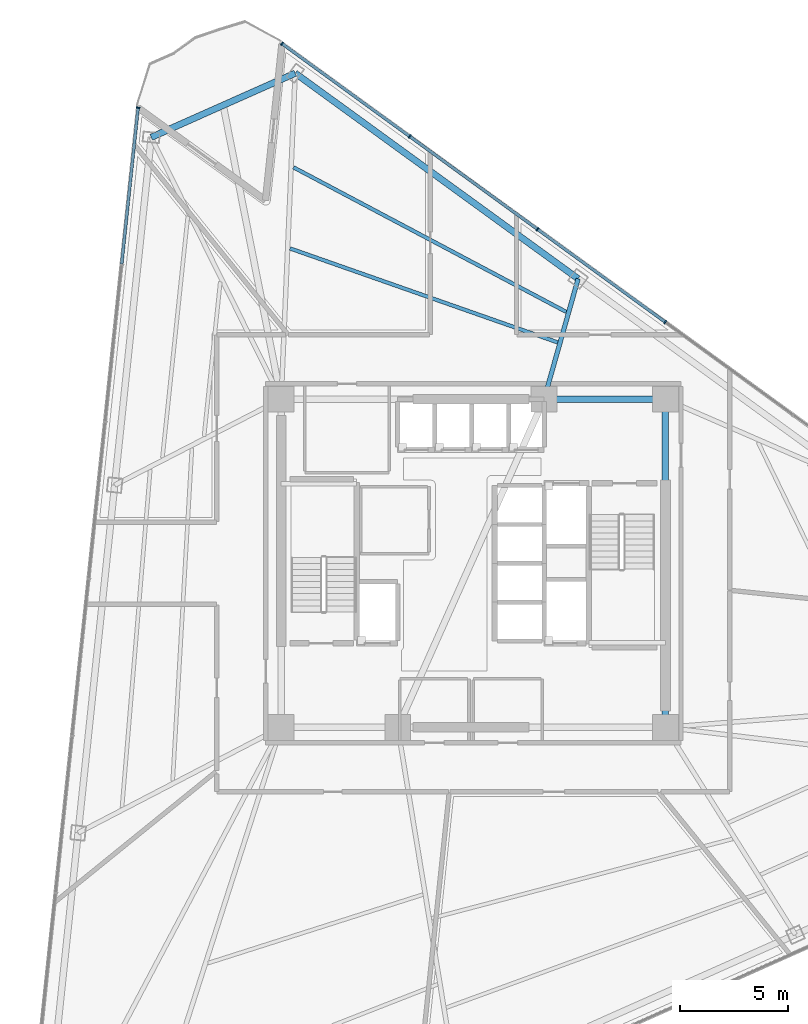
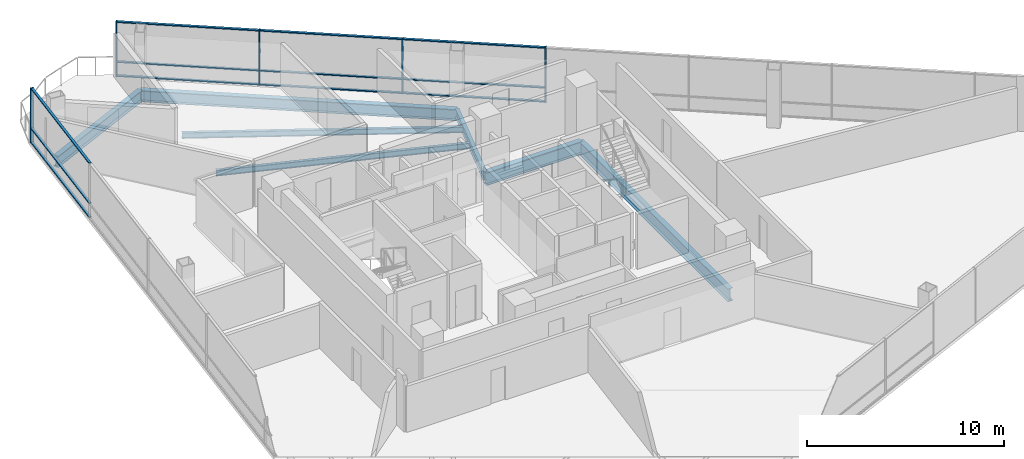
# One storey, part 8 of 17: 17 members, 7 beams, 2 elements without a shape of their own.
"""IFC4 building model written with IfcOpenShell, lengths in metres."""

from ifc_helpers import new_model, si_unit, direction, frame, origin, origin_2d, place, context, subcontext, project, spatial, rectangle, i_section, extrude, material, layer, layer_set, material_profile, profile_set, type_object, element, aggregate, save


model = new_model("IFC4")

# Units and contexts
model_context = context("Model", 3, precision=1e-05, world=origin(), true_north=direction((0.0, 1.0)))
body_context = subcontext(model_context, "Body", "Model", "MODEL_VIEW")
ifc_project = project(units=[si_unit("LENGTHUNIT", "METRE"), si_unit("AREAUNIT", "SQUARE_METRE"), si_unit("VOLUMEUNIT", "CUBIC_METRE"), si_unit("PLANEANGLEUNIT", "RADIAN"), si_unit("MASSUNIT", "GRAM", prefix="KILO")], contexts=[model_context])

# Site, building, storey
site_placement = place(None, origin())
site = spatial("IfcSite", under=ifc_project, at=site_placement, CompositionType="ELEMENT")
building_placement = place(site_placement, origin())
building = spatial("IfcBuilding", under=site, at=building_placement, Name="Tharavind Bronze Gate", CompositionType="ELEMENT")
storey_placement = place(building_placement, frame((0.0, 0.0, 119.64990234375)))
storey = spatial("IfcBuildingStorey", under=building, at=storey_placement, Name="L30", CompositionType="ELEMENT", Elevation=119.64990234375)

# Curtain wall, member
ifc_material_1 = material(Name="Anodised Bronze Aluminium", Category="aluminium")
ifc_layer = layer(ifc_material_1, 0.219970703125)
ifc_layer_set = layer_set([ifc_layer], Name="Anodised Bronze Aluminium")
curtain_wall_type = type_object("IfcCurtainWallType", Name="UNITISED CURTAIN WALL LOWER OFFICE", PredefinedType="USERDEFINED", material=ifc_layer_set)
curtain_wall_1_placement = place(storey_placement, origin())
curtain_wall_1 = element("IfcCurtainWall", 1, at=curtain_wall_1_placement, inside=storey, type_object=curtain_wall_type, Name="L30 unitised curtain wall lower office CW-L30-S1", ObjectType="UNITISED CURTAIN WALL", PredefinedType="USERDEFINED")
member_type_1 = type_object("IfcMemberType", Name="CURTAIN WALL BRONZE MULLION 65X180", PredefinedType="MULLION", material=ifc_material_1)
member_1_placement = place(storey_placement, frame((-15.527587890625, 21.101806640625, 0.0), z_axis=(0.0, 0.0, 1.0), x_axis=(-0.104526727499, -0.994522077803, 0.0)))
member_1 = element("IfcMember", 2, at=member_1_placement, type_object=member_type_1, Name="CW-L30-S1 mullion 1", PredefinedType="MULLION", context=body_context, shape_type="SweptSolid", body=[
    extrude(rectangle(XDim=0.06494140625, YDim=0.179931640625, at=origin_2d()), origin(), (0.0, 0.0, 1.0), 3.409912109375),
])

# Curtain wall, members
curtain_wall_2_placement = place(storey_placement, origin())
curtain_wall_2 = element("IfcCurtainWall", 3, at=curtain_wall_2_placement, inside=storey, type_object=curtain_wall_type, Name="L30 unitised curtain wall lower office CW-L30-S3", ObjectType="UNITISED CURTAIN WALL", PredefinedType="USERDEFINED")
member_2_placement = place(storey_placement, frame((8.89111328125, 11.1748046875, 0.0), z_axis=(0.0, 0.0, 1.0), x_axis=(-0.809016994375, 0.587785252292, 0.0)))
member_2 = element("IfcMember", 4, at=member_2_placement, type_object=member_type_1, Name="CW-L30-S3 mullion 5", PredefinedType="MULLION", context=body_context, shape_type="SweptSolid", body=[
    extrude(rectangle(XDim=0.06494140625, YDim=0.179931640625, at=origin_2d()), origin(), (0.0, 0.0, 1.0), 3.409912109375),
])
member_3_placement = place(storey_placement, frame((2.974609375, 15.473388671875, 0.0), z_axis=(0.0, 0.0, 1.0), x_axis=(-0.809016994375, 0.587785252292, 0.0)))
member_3 = element("IfcMember", 5, at=member_3_placement, type_object=member_type_1, Name="CW-L30-S3 mullion 6", PredefinedType="MULLION", context=body_context, shape_type="SweptSolid", body=[
    extrude(rectangle(XDim=0.06494140625, YDim=0.179931640625, at=origin_2d()), origin(), (0.0, 0.0, 1.0), 3.409912109375),
])
member_4_placement = place(storey_placement, frame((-2.942138671875, 19.772216796875, 0.0), z_axis=(0.0, 0.0, 1.0), x_axis=(-0.809016994375, 0.587785252292, 0.0)))
member_4 = element("IfcMember", 6, at=member_4_placement, type_object=member_type_1, Name="CW-L30-S3 mullion 7", PredefinedType="MULLION", context=body_context, shape_type="SweptSolid", body=[
    extrude(rectangle(XDim=0.06494140625, YDim=0.179931640625, at=origin_2d()), origin(), (0.0, 0.0, 1.0), 3.409912109375),
])
member_5_placement = place(storey_placement, frame((-8.85888671875, 24.07080078125, 0.0), z_axis=(0.0, 0.0, 1.0), x_axis=(-0.809016994375, 0.587785252292, 0.0)))
member_5 = element("IfcMember", 7, at=member_5_placement, type_object=member_type_1, Name="CW-L30-S3 mullion 8", PredefinedType="MULLION", context=body_context, shape_type="SweptSolid", body=[
    extrude(rectangle(XDim=0.06494140625, YDim=0.179931640625, at=origin_2d()), origin(), (0.0, 0.0, 1.0), 3.409912109375),
])

# Member
member_type_2 = type_object("IfcMemberType", Name="CURTAIN WALL BRONZE TRANSOM 65X140", PredefinedType="USERDEFINED", material=ifc_material_1)
member_6_placement = place(storey_placement, frame((-15.909912109375, 17.465087890625, 0.000244140625), z_axis=(0.0, 0.0, 1.0), x_axis=(-0.104526727499, -0.994522077803, 0.0)))
member_6 = element("IfcMember", 8, at=member_6_placement, type_object=member_type_2, Name="CW-L30-S1 transom TB1", ObjectType="TRANSOM", PredefinedType="USERDEFINED", context=body_context, shape_type="SweptSolid", body=[
    extrude(rectangle(XDim=7.26025390625, YDim=0.139892578125, at=origin_2d()), origin(), (0.0, 0.0, 1.0), 0.06494140625),
])

member_7_placement = place(storey_placement, frame((-15.909912109375, 17.465087890625, 0.86767578125), z_axis=(0.0, 0.0, 1.0), x_axis=(-0.104526727499, -0.994522077803, 0.0)))
member_7 = element("IfcMember", 9, at=member_7_placement, type_object=member_type_2, Name="CW-L30-S1 transom TS1", ObjectType="TRANSOM", PredefinedType="USERDEFINED", context=body_context, shape_type="SweptSolid", body=[
    extrude(rectangle(XDim=7.26025390625, YDim=0.139892578125, at=origin_2d()), origin(), (0.0, 0.0, 1.0), 0.06494140625),
])

member_8_placement = place(storey_placement, frame((-15.909912109375, 17.465087890625, 3.34521484375), z_axis=(0.0, 0.0, 1.0), x_axis=(-0.104526727499, -0.994522077803, 0.0)))
member_8 = element("IfcMember", 10, at=member_8_placement, type_object=member_type_2, Name="CW-L30-S1 transom TT1", ObjectType="TRANSOM", PredefinedType="USERDEFINED", context=body_context, shape_type="SweptSolid", body=[
    extrude(rectangle(XDim=7.26025390625, YDim=0.139892578125, at=origin_2d()), origin(), (0.0, 0.0, 1.0), 0.06494140625),
])

aggregate(curtain_wall_1, [member_1, member_6, member_7, member_8])

member_9_placement = place(storey_placement, frame((5.932861328125, 13.32421875, 0.000244140625), z_axis=(0.0, 0.0, 1.0), x_axis=(-0.809016994375, 0.587785252292, 0.0)))
member_9 = element("IfcMember", 11, at=member_9_placement, type_object=member_type_2, Name="CW-L30-S3 transom TB5", ObjectType="TRANSOM", PredefinedType="USERDEFINED", context=body_context, shape_type="SweptSolid", body=[
    extrude(rectangle(XDim=7.260498046875, YDim=0.139892578125, at=origin_2d()), origin(), (0.0, 0.0, 1.0), 0.06494140625),
])

member_10_placement = place(storey_placement, frame((5.932861328125, 13.32421875, 0.86767578125), z_axis=(0.0, 0.0, 1.0), x_axis=(-0.809016994375, 0.587785252292, 0.0)))
member_10 = element("IfcMember", 12, at=member_10_placement, type_object=member_type_2, Name="CW-L30-S3 transom TS5", ObjectType="TRANSOM", PredefinedType="USERDEFINED", context=body_context, shape_type="SweptSolid", body=[
    extrude(rectangle(XDim=7.260498046875, YDim=0.139892578125, at=origin_2d()), origin(), (0.0, 0.0, 1.0), 0.06494140625),
])

member_11_placement = place(storey_placement, frame((5.932861328125, 13.32421875, 3.34521484375), z_axis=(0.0, 0.0, 1.0), x_axis=(-0.809016994375, 0.587785252292, 0.0)))
member_11 = element("IfcMember", 13, at=member_11_placement, type_object=member_type_2, Name="CW-L30-S3 transom TT5", ObjectType="TRANSOM", PredefinedType="USERDEFINED", context=body_context, shape_type="SweptSolid", body=[
    extrude(rectangle(XDim=7.260498046875, YDim=0.139892578125, at=origin_2d()), origin(), (0.0, 0.0, 1.0), 0.06494140625),
])

member_12_placement = place(storey_placement, frame((0.01611328125, 17.622802734375, 0.000244140625), z_axis=(0.0, 0.0, 1.0), x_axis=(-0.809016994375, 0.587785252292, 0.0)))
member_12 = element("IfcMember", 14, at=member_12_placement, type_object=member_type_2, Name="CW-L30-S3 transom TB6", ObjectType="TRANSOM", PredefinedType="USERDEFINED", context=body_context, shape_type="SweptSolid", body=[
    extrude(rectangle(XDim=7.260498046875, YDim=0.139892578125, at=origin_2d()), origin(), (0.0, 0.0, 1.0), 0.06494140625),
])

member_13_placement = place(storey_placement, frame((0.01611328125, 17.622802734375, 0.86767578125), z_axis=(0.0, 0.0, 1.0), x_axis=(-0.809016994375, 0.587785252292, 0.0)))
member_13 = element("IfcMember", 15, at=member_13_placement, type_object=member_type_2, Name="CW-L30-S3 transom TS6", ObjectType="TRANSOM", PredefinedType="USERDEFINED", context=body_context, shape_type="SweptSolid", body=[
    extrude(rectangle(XDim=7.260498046875, YDim=0.139892578125, at=origin_2d()), origin(), (0.0, 0.0, 1.0), 0.06494140625),
])

member_14_placement = place(storey_placement, frame((0.01611328125, 17.622802734375, 3.34521484375), z_axis=(0.0, 0.0, 1.0), x_axis=(-0.809016994375, 0.587785252292, 0.0)))
member_14 = element("IfcMember", 16, at=member_14_placement, type_object=member_type_2, Name="CW-L30-S3 transom TT6", ObjectType="TRANSOM", PredefinedType="USERDEFINED", context=body_context, shape_type="SweptSolid", body=[
    extrude(rectangle(XDim=7.260498046875, YDim=0.139892578125, at=origin_2d()), origin(), (0.0, 0.0, 1.0), 0.06494140625),
])

member_15_placement = place(storey_placement, frame((-5.900390625, 21.921630859375, 0.000244140625), z_axis=(0.0, 0.0, 1.0), x_axis=(-0.809016994375, 0.587785252292, 0.0)))
member_15 = element("IfcMember", 17, at=member_15_placement, type_object=member_type_2, Name="CW-L30-S3 transom TB7", ObjectType="TRANSOM", PredefinedType="USERDEFINED", context=body_context, shape_type="SweptSolid", body=[
    extrude(rectangle(XDim=7.260498046875, YDim=0.139892578125, at=origin_2d()), origin(), (0.0, 0.0, 1.0), 0.06494140625),
])

member_16_placement = place(storey_placement, frame((-5.900390625, 21.921630859375, 0.86767578125), z_axis=(0.0, 0.0, 1.0), x_axis=(-0.809016994375, 0.587785252292, 0.0)))
member_16 = element("IfcMember", 18, at=member_16_placement, type_object=member_type_2, Name="CW-L30-S3 transom TS7", ObjectType="TRANSOM", PredefinedType="USERDEFINED", context=body_context, shape_type="SweptSolid", body=[
    extrude(rectangle(XDim=7.260498046875, YDim=0.139892578125, at=origin_2d()), origin(), (0.0, 0.0, 1.0), 0.06494140625),
])

member_17_placement = place(storey_placement, frame((-5.900390625, 21.921630859375, 3.34521484375), z_axis=(0.0, 0.0, 1.0), x_axis=(-0.809016994375, 0.587785252292, 0.0)))
member_17 = element("IfcMember", 19, at=member_17_placement, type_object=member_type_2, Name="CW-L30-S3 transom TT7", ObjectType="TRANSOM", PredefinedType="USERDEFINED", context=body_context, shape_type="SweptSolid", body=[
    extrude(rectangle(XDim=7.260498046875, YDim=0.139892578125, at=origin_2d()), origin(), (0.0, 0.0, 1.0), 0.06494140625),
])

aggregate(curtain_wall_2, [member_2, member_3, member_4, member_5, member_9, member_10, member_11, member_12, member_13, member_14, member_15, member_16, member_17])

# Beams
ifc_material_2 = material(Name="Steel S355", Category="steel")
ifc_material_profile_1 = material_profile(ifc_material_2, i_section(OverallWidth=0.2099609375, OverallDepth=0.550048828125, WebThickness=0.010986328125, FlangeThickness=0.01708984375, at=origin_2d()), Name="IPE550")
ifc_profile_set_1 = profile_set([ifc_material_profile_1], Name="Steel S355")
beam_type_1 = type_object("IfcBeamType", Name="PRIMARY GIRDER IPE550", PredefinedType="USERDEFINED", material=ifc_profile_set_1)
beam_1_placement = place(storey_placement, frame((4.856201171875, 13.179443359375, -0.46484375), z_axis=(-0.271861210874, -0.962336470275, 0.0), x_axis=(0.962336470275, -0.271861210874, 0.0)))
element("IfcBeam", 20, at=beam_1_placement, inside=storey, type_object=beam_type_1, Name="L30 primary girder ipe550 BM-L30-RAD11", ObjectType="GIRDER", PredefinedType="USERDEFINED", context=body_context, shape_type="SweptSolid", body=[
    extrude(i_section(OverallWidth=0.2099609375, OverallDepth=0.550048828125, WebThickness=0.010986328125, FlangeThickness=0.01708984375, at=origin_2d()), origin(), (0.0, 0.0, 1.0), 5.797607421875),
])
ifc_material_profile_2 = material_profile(ifc_material_2, i_section(OverallWidth=0.300048828125, OverallDepth=0.699951171875, WebThickness=0.01708984375, FlangeThickness=0.031982421875, at=origin_2d()), Name="HE700B")
ifc_profile_set_2 = profile_set([ifc_material_profile_2], Name="Steel S355")
beam_type_2 = type_object("IfcBeamType", Name="RING GIRDER HE700B", PredefinedType="USERDEFINED", material=ifc_profile_set_2)
beam_2_placement = place(storey_placement, frame((4.856201171875, 13.179443359375, -0.539794921875), z_axis=(-0.809014294341, 0.587788968553, 0.0), x_axis=(-0.587788968553, -0.809014294341, 0.0)))
element("IfcBeam", 21, at=beam_2_placement, inside=storey, type_object=beam_type_2, Name="L30 ring girder he700b BM-L30-PRG11", ObjectType="GIRDER", PredefinedType="USERDEFINED", context=body_context, shape_type="SweptSolid", body=[
    extrude(i_section(OverallWidth=0.300048828125, OverallDepth=0.699951171875, WebThickness=0.01708984375, FlangeThickness=0.031982421875, at=origin_2d()), origin(), (0.0, 0.0, 1.0), 16.198486328125),
])
beam_3_placement = place(storey_placement, frame((-8.24853515625, 22.70068359375, -0.539794921875), z_axis=(-0.913543802, -0.40674036169, 0.0), x_axis=(0.40674036169, -0.913543802, 0.0)))
element("IfcBeam", 22, at=beam_3_placement, inside=storey, type_object=beam_type_2, Name="L30 ring girder he700b BM-L30-PRG12", ObjectType="GIRDER", PredefinedType="USERDEFINED", context=body_context, shape_type="SweptSolid", body=[
    extrude(i_section(OverallWidth=0.300048828125, OverallDepth=0.699951171875, WebThickness=0.01708984375, FlangeThickness=0.031982421875, at=origin_2d()), origin(), (0.0, 0.0, 1.0), 7.300048828125),
])
ifc_material_profile_3 = material_profile(ifc_material_2, i_section(OverallWidth=0.300048828125, OverallDepth=0.800048828125, WebThickness=0.017578125, FlangeThickness=0.032958984375, at=origin_2d()), Name="HE800B")
ifc_profile_set_3 = profile_set([ifc_material_profile_3], Name="Steel S355")
beam_type_3 = type_object("IfcBeamType", Name="RING GIRDER HE800B", PredefinedType="USERDEFINED", material=ifc_profile_set_3)
beam_4_placement = place(storey_placement, frame((8.89990234375, -7.60009765625, -0.58984375), z_axis=(0.0, 1.0, 0.0), x_axis=(-1.0, 0.0, 0.0)))
element("IfcBeam", 23, at=beam_4_placement, inside=storey, type_object=beam_type_3, Name="L30 ring girder he800b BM-L30-CR3", ObjectType="GIRDER", PredefinedType="USERDEFINED", context=body_context, shape_type="SweptSolid", body=[
    extrude(i_section(OverallWidth=0.300048828125, OverallDepth=0.800048828125, WebThickness=0.017578125, FlangeThickness=0.032958984375, at=origin_2d()), origin(), (0.0, 0.0, 1.0), 15.2001953125),
])
beam_5_placement = place(storey_placement, frame((8.89990234375, 7.60009765625, -0.58984375), z_axis=(-1.0, 0.0, 0.0), x_axis=(0.0, -1.0, 0.0)))
element("IfcBeam", 24, at=beam_5_placement, inside=storey, type_object=beam_type_3, Name="L30 ring girder he800b BM-L30-CR4", ObjectType="GIRDER", PredefinedType="USERDEFINED", context=body_context, shape_type="SweptSolid", body=[
    extrude(i_section(OverallWidth=0.300048828125, OverallDepth=0.800048828125, WebThickness=0.017578125, FlangeThickness=0.032958984375, at=origin_2d()), origin(), (0.0, 0.0, 1.0), 5.619873046875),
])
ifc_material_profile_4 = material_profile(ifc_material_2, i_section(OverallWidth=0.169921875, OverallDepth=0.360107421875, WebThickness=0.008056640625, FlangeThickness=0.0126953125, at=origin_2d()), Name="IPE360")
ifc_profile_set_4 = profile_set([ifc_material_profile_4], Name="Steel S355")
beam_type_4 = type_object("IfcBeamType", Name="SECONDARY FLOOR JOIST IPE360", PredefinedType="JOIST", material=ifc_profile_set_4)
beam_6_placement = place(storey_placement, frame((3.909912109375, 10.230712890625, -0.369873046875), z_axis=(-0.94354019652, 0.33125805281, 0.0), x_axis=(-0.33125805281, -0.94354019652, 0.0)))
element("IfcBeam", 25, at=beam_6_placement, inside=storey, type_object=beam_type_4, Name="L30 secondary floor joist ipe360 BM-L30-JSTA11", PredefinedType="JOIST", context=body_context, shape_type="SweptSolid", body=[
    extrude(i_section(OverallWidth=0.169921875, OverallDepth=0.360107421875, WebThickness=0.008056640625, FlangeThickness=0.0126953125, at=origin_2d()), origin(), (0.0, 0.0, 1.0), 13.1416015625),
])
beam_7_placement = place(storey_placement, frame((4.30859375, 11.6416015625, -0.369873046875), z_axis=(-0.883525360926, 0.468383322291, 0.0), x_axis=(-0.468383322291, -0.883525360926, 0.0)))
element("IfcBeam", 26, at=beam_7_placement, inside=storey, type_object=beam_type_4, Name="L30 secondary floor joist ipe360 BM-L30-JSTB11", PredefinedType="JOIST", context=body_context, shape_type="SweptSolid", body=[
    extrude(i_section(OverallWidth=0.169921875, OverallDepth=0.360107421875, WebThickness=0.008056640625, FlangeThickness=0.0126953125, at=origin_2d()), origin(), (0.0, 0.0, 1.0), 14.30224609375),
])

save(model, "model.ifc")
